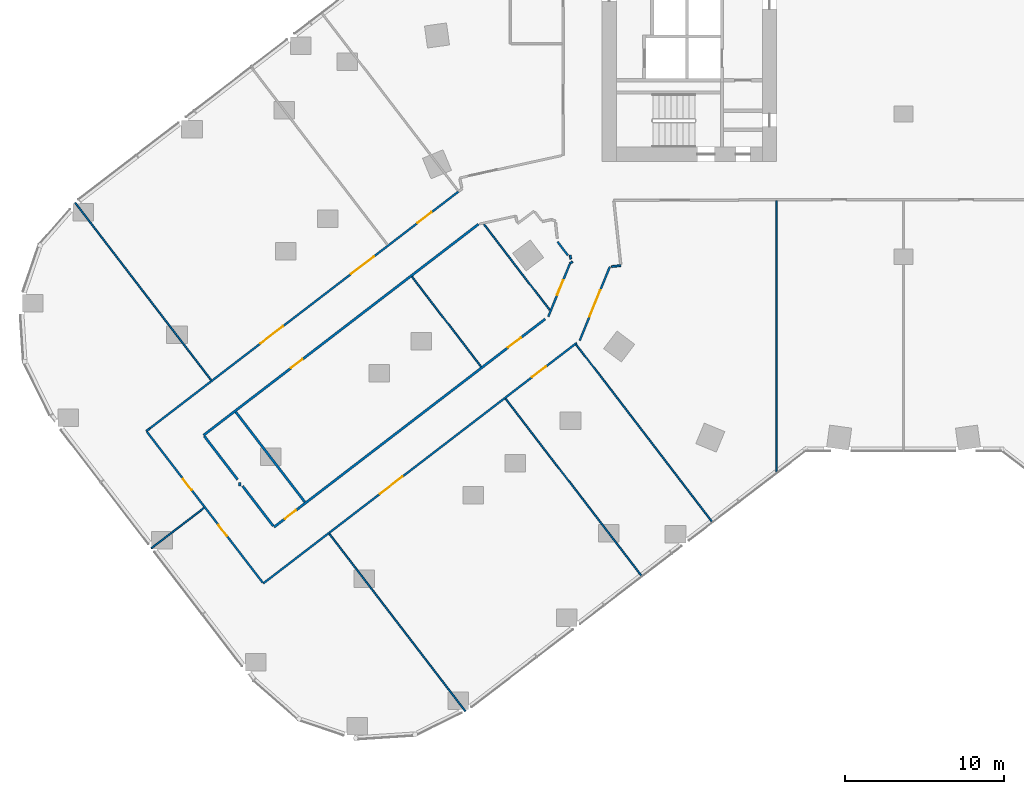
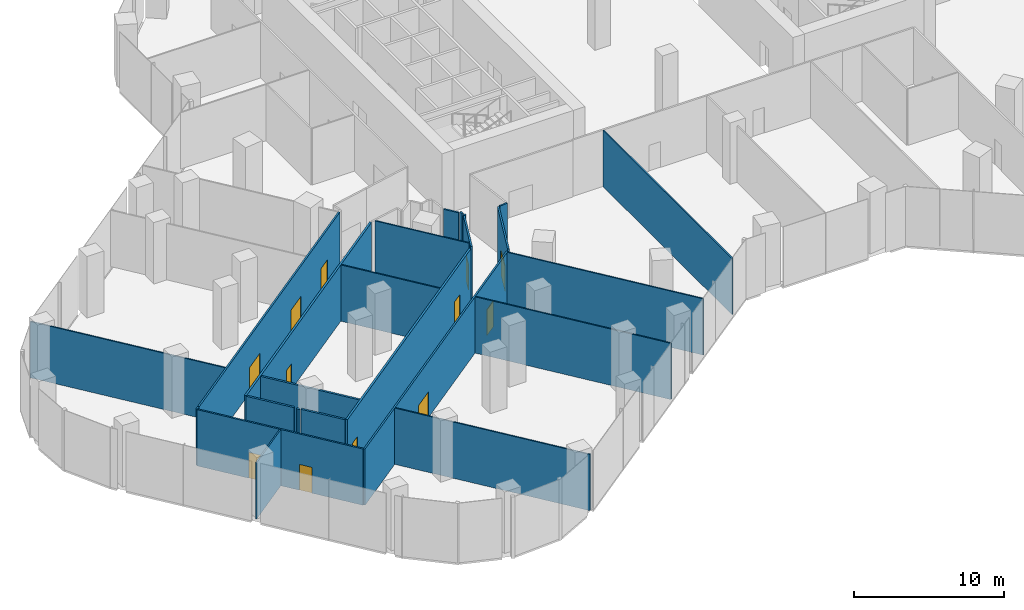
# One storey, part 21 of 29: 24 walls, 12 doors, 12 openings.
"""IFC4 building model written with IfcOpenShell, lengths in metres."""

from ifc_helpers import new_model, si_unit, direction, frame, frame_2d, origin, place, context, subcontext, project, spatial, rectangle, extrude, material, layer, layer_set, type_object, element, fill, save


model = new_model("IFC4")

# Units and contexts
model_context = context("Model", 3, precision=1e-05, world=origin(), true_north=direction((0.0, 1.0)))
body_context = subcontext(model_context, "Body", "Model", "MODEL_VIEW")
ifc_project = project(units=[si_unit("LENGTHUNIT", "METRE"), si_unit("AREAUNIT", "SQUARE_METRE"), si_unit("VOLUMEUNIT", "CUBIC_METRE"), si_unit("PLANEANGLEUNIT", "RADIAN"), si_unit("MASSUNIT", "GRAM", prefix="KILO")], contexts=[model_context])

# Site, building, storey
site_placement = place(None, origin())
site = spatial("IfcSite", under=ifc_project, at=site_placement, CompositionType="ELEMENT")
building_placement = place(site_placement, origin())
building = spatial("IfcBuilding", under=site, at=building_placement, Name="Orlundy Tower", CompositionType="ELEMENT")
storey_placement = place(building_placement, frame((0.0, 0.0, 15.5)))
storey = spatial("IfcBuildingStorey", under=building, at=storey_placement, Name="L02", CompositionType="ELEMENT", Elevation=15.5)

# Walls
ifc_material_1 = material(Name="Gypsum board partition")
ifc_layer_1 = layer(ifc_material_1, 0.10009765625)
ifc_layer_set_1 = layer_set([ifc_layer_1], Name="Floor partition 100")
wall_type_1 = type_object("IfcWallType", Name="Floor partition 100", PredefinedType="PARTITIONING", material=ifc_layer_set_1)
wall_1_placement = place(storey_placement, frame((-52.199951171875, -14.59912109375, 0.0), z_axis=(0.0, 0.0, 1.0), x_axis=(0.608818023879, -0.793309910312, 0.0)))
element("IfcWall", 1, at=wall_1_placement, inside=storey, type_object=wall_type_1, Name="wall-int-L02-011", PredefinedType="PARTITIONING", context=body_context, shape_type="SweptSolid", body=[
    extrude(rectangle(XDim=14.081298828125, YDim=0.10009765625, at=frame_2d((7.04052734375, 0.0))), origin(), (0.0, 0.0, 1.0), 4.580078125),
])
wall_2_placement = place(storey_placement, frame((-36.18505859375, -35.470947265625, 0.0), z_axis=(0.0, 0.0, 1.0), x_axis=(0.608776156658, -0.793342039152, 0.0)))
element("IfcWall", 2, at=wall_2_placement, inside=storey, type_object=wall_type_1, Name="wall-int-L02-013", PredefinedType="PARTITIONING", context=body_context, shape_type="SweptSolid", body=[
    extrude(rectangle(XDim=14.082275390625, YDim=0.10009765625, at=frame_2d((7.041015625, 0.0))), origin(), (0.0, 0.0, 1.0), 4.580078125),
])
wall_3_placement = place(storey_placement, frame((-30.97509765625, -19.260986328125, 0.0), z_axis=(0.0, 0.0, 1.0), x_axis=(0.608667353297, -0.793425518263, 0.0)))
element("IfcWall", 3, at=wall_3_placement, inside=storey, type_object=wall_type_1, Name="wall-int-L02-015", PredefinedType="PARTITIONING", context=body_context, shape_type="SweptSolid", body=[
    extrude(rectangle(XDim=7.150146484375, YDim=0.10009765625, at=frame_2d((3.5751953125, 0.0))), origin(), (0.0, 0.0, 1.0), 4.580078125),
])
wall_4_placement = place(storey_placement, frame((-25.076904296875, -26.947998046875, 0.0), z_axis=(0.0, 0.0, 1.0), x_axis=(0.60874219909, -0.793368095557, 0.0)))
element("IfcWall", 4, at=wall_4_placement, inside=storey, type_object=wall_type_1, Name="wall-int-L02-016", PredefinedType="PARTITIONING", context=body_context, shape_type="SweptSolid", body=[
    extrude(rectangle(XDim=14.13720703125, YDim=0.10009765625, at=frame_2d((7.068603515625, 0.0))), origin(), (0.0, 0.0, 1.0), 4.580078125),
])
wall_5_placement = place(storey_placement, frame((-26.43994140625, -15.9619140625, 0.0), z_axis=(0.0, 0.0, 1.0), x_axis=(0.608697215762, -0.79340260872, 0.0)))
element("IfcWall", 5, at=wall_5_placement, inside=storey, type_object=wall_type_1, Name="wall-int-L02-018", PredefinedType="PARTITIONING", context=body_context, shape_type="SweptSolid", body=[
    extrude(rectangle(XDim=6.7900390625, YDim=0.10009765625, at=frame_2d((3.39501953125, 0.0))), origin(), (0.0, 0.0, 1.0), 4.580078125),
])
wall_6_placement = place(storey_placement, frame((-20.6298828125, -23.534912109375, 0.0), z_axis=(0.0, 0.0, 1.0), x_axis=(0.608785675767, -0.79333473451, 0.0)))
element("IfcWall", 6, at=wall_6_placement, inside=storey, type_object=wall_type_1, Name="wall-int-L02-019", PredefinedType="PARTITIONING", context=body_context, shape_type="SweptSolid", body=[
    extrude(rectangle(XDim=14.137939453125, YDim=0.10009765625, at=frame_2d((7.06884765625, 0.0))), origin(), (0.0, 0.0, 1.0), 4.580078125),
])
wall_7_placement = place(storey_placement, frame((-47.403076171875, -36.3740234375, 0.0), z_axis=(0.0, 0.0, 1.0), x_axis=(0.793154740431, 0.609020162008, 0.0)))
element("IfcWall", 7, at=wall_7_placement, inside=storey, type_object=wall_type_1, Name="wall-int-L02-043", PredefinedType="PARTITIONING", context=body_context, shape_type="SweptSolid", body=[
    extrude(rectangle(XDim=4.18701171875, YDim=0.10009765625, at=frame_2d((2.093505859375, 0.0))), origin(), (0.0, 0.0, 1.0), 4.580078125),
])
wall_8_placement = place(storey_placement, frame((-8.0, -31.6630859375, 0.0), z_axis=(0.0, 0.0, 1.0), x_axis=(0.0, 1.0, 0.0)))
element("IfcWall", 8, at=wall_8_placement, inside=storey, type_object=wall_type_1, Name="wall-int-L02-058", PredefinedType="PARTITIONING", context=body_context, shape_type="SweptSolid", body=[
    extrude(rectangle(XDim=17.2001953125, YDim=0.10009765625, at=frame_2d((8.60009765625, 0.0))), origin(), (0.0, 0.0, 1.0), 4.580078125),
])
ifc_material_2 = material(Name="Gypsum board partition, double layer")
ifc_layer_2 = layer(ifc_material_2, 0.125)
ifc_layer_set_2 = layer_set([ifc_layer_2], Name="Floor partition 125")
wall_type_2 = type_object("IfcWallType", Name="Floor partition 125", PredefinedType="PARTITIONING", material=ifc_layer_set_2)
wall_9_placement = place(storey_placement, frame((-21.00390625, -17.904052734375, 0.0), z_axis=(0.0, 0.0, 1.0), x_axis=(0.105933230141, -0.994373245191, 0.0)))
element("IfcWall", 9, at=wall_9_placement, inside=storey, type_object=wall_type_2, Name="wall-int-L02-001", PredefinedType="PARTITIONING", context=body_context, shape_type="SweptSolid", body=[
    extrude(rectangle(XDim=0.244384765625, YDim=0.125, at=frame_2d((0.1220703125, 0.0))), origin(), (0.0, 0.0, 1.0), 4.580078125),
])
wall_10_placement = place(storey_placement, frame((-21.801025390625, -17.06103515625, 0.0), z_axis=(0.0, 0.0, 1.0), x_axis=(0.604123687543, -0.796890563471, 0.0)))
element("IfcWall", 10, at=wall_10_placement, inside=storey, type_object=wall_type_2, Name="wall-int-L02-007", PredefinedType="PARTITIONING", context=body_context, shape_type="SweptSolid", body=[
    extrude(rectangle(XDim=1.077880859375, YDim=0.125, at=frame_2d((0.5390625, 0.0))), origin(), (0.0, 0.0, 1.0), 4.580078125),
])

# Wall, openings, doors
wall_11_placement = place(storey_placement, frame((-40.384033203125, -38.534912109375, 0.0), z_axis=(0.0, 0.0, 1.0), x_axis=(-0.609026744184, 0.793149686294, 0.0)))
wall_11 = element("IfcWall", 11, at=wall_11_placement, inside=storey, type_object=wall_type_2, Name="wall-int-L02-008", PredefinedType="PARTITIONING", context=body_context, shape_type="SweptSolid", body=[
    extrude(rectangle(XDim=11.974853515625, YDim=0.125, at=frame_2d((5.9873046875, 0.0))), origin(), (0.0, 0.0, 1.0), 4.580078125),
])
opening_1_placement = place(wall_11_placement, frame((3.68798828125, 0.0, 0.0)))
opening_1 = element("IfcOpeningElement", 12, at=opening_1_placement, cuts=wall_11, Name="Opening 03105", PredefinedType="OPENING", context=body_context, shape_type="SweptSolid", body=[
    extrude(rectangle(XDim=0.89990234375, YDim=2.10009765625, at=frame_2d((0.449951171875, 1.050048828125))), frame((0.0, 0.072509765625, 0.0), z_axis=(0.0, -1.0, 0.0), x_axis=(1.0, 0.0, 0.0)), (0.0, 0.0, 1.0), 0.14501953125),
])
opening_2_placement = place(wall_11_placement, frame((7.33837890625, 0.0, 0.0)))
opening_2 = element("IfcOpeningElement", 13, at=opening_2_placement, cuts=wall_11, Name="Opening 03106", PredefinedType="OPENING", context=body_context, shape_type="SweptSolid", body=[
    extrude(rectangle(XDim=0.89990234375, YDim=2.10009765625, at=frame_2d((0.449951171875, 1.050048828125))), frame((0.0, 0.072509765625, 0.0), z_axis=(0.0, -1.0, 0.0), x_axis=(1.0, 0.0, 0.0)), (0.0, 0.0, 1.0), 0.14501953125),
])
ifc_material_3 = material(Name="Timber door leaf", Category="wood")
door_type_1 = type_object("IfcDoorType", Name="Floor door single 900 FD30S", OperationType="NOTDEFINED", PredefinedType="DOOR", material=ifc_material_3)
door_1_placement = place(opening_1_placement, origin())
door_1 = element("IfcDoor", 14, at=door_1_placement, inside=storey, type_object=door_type_1, Name="Door 03105", OperationType="SINGLE_SWING_LEFT", OverallHeight=2.10009765625, OverallWidth=0.89990234375, PredefinedType="DOOR", context=body_context, shape_type="SweptSolid", body=[
    extrude(rectangle(XDim=0.89990234375, YDim=2.10009765625, at=frame_2d((0.449951171875, 1.050048828125))), frame((0.0, 0.02490234375, 0.0), z_axis=(0.0, -1.0, 0.0), x_axis=(1.0, 0.0, 0.0)), (0.0, 0.0, 1.0), 0.050048828125),
])
fill(opening_1, door_1)
door_2_placement = place(opening_2_placement, origin())
door_2 = element("IfcDoor", 15, at=door_2_placement, inside=storey, type_object=door_type_1, Name="Door 03106", OperationType="SINGLE_SWING_RIGHT", OverallHeight=2.10009765625, OverallWidth=0.89990234375, PredefinedType="DOOR", context=body_context, shape_type="SweptSolid", body=[
    extrude(rectangle(XDim=0.89990234375, YDim=2.10009765625, at=frame_2d((0.449951171875, 1.050048828125))), frame((0.0, 0.02490234375, 0.0), z_axis=(0.0, -1.0, 0.0), x_axis=(1.0, 0.0, 0.0)), (0.0, 0.0, 1.0), 0.050048828125),
])
fill(opening_2, door_2)

# Walls
wall_12_placement = place(storey_placement, frame((-18.406005859375, -18.623046875, 0.0), z_axis=(0.0, 0.0, 1.0), x_axis=(0.994037722998, 0.109036715182, 0.0)))
element("IfcWall", 16, at=wall_12_placement, inside=storey, type_object=wall_type_2, Name="wall-int-L02-034", PredefinedType="PARTITIONING", context=body_context, shape_type="SweptSolid", body=[
    extrude(rectangle(XDim=0.595703125, YDim=0.125, at=frame_2d((0.2978515625, 0.0))), origin(), (0.0, 0.0, 1.0), 4.580078125),
])
wall_13_placement = place(storey_placement, frame((-21.01904296875, -18.427978515625, 0.0), z_axis=(0.0, 0.0, 1.0), x_axis=(0.797092148154, 0.603857687995, 0.0)))
element("IfcWall", 17, at=wall_13_placement, inside=storey, type_object=wall_type_2, Name="wall-int-L02-040", PredefinedType="PARTITIONING", context=body_context, shape_type="SweptSolid", body=[
    extrude(rectangle(XDim=0.2021484375, YDim=0.125, at=frame_2d((0.10107421875, 0.0))), origin(), (0.0, 0.0, 1.0), 4.580078125),
])

# Wall, openings, doors
wall_14_placement = place(storey_placement, frame((-20.593017578125, -23.428955078125, 0.0), z_axis=(0.0, 0.0, 1.0), x_axis=(-0.793381896857, -0.60872421156, 0.0)))
wall_14 = element("IfcWall", 18, at=wall_14_placement, inside=storey, type_object=wall_type_2, Name="wall-int-L02-041", PredefinedType="PARTITIONING", context=body_context, shape_type="SweptSolid", body=[
    extrude(rectangle(XDim=24.899658203125, YDim=0.125, at=frame_2d((12.44970703125, 0.0))), origin(), (0.0, 0.0, 1.0), 4.580078125),
])
opening_3_placement = place(wall_14_placement, frame((2.443603515625, 0.0, 0.0)))
opening_3 = element("IfcOpeningElement", 19, at=opening_3_placement, cuts=wall_14, Name="Opening 03100", PredefinedType="OPENING", context=body_context, shape_type="SweptSolid", body=[
    extrude(rectangle(XDim=1.10009765625, YDim=2.10009765625, at=frame_2d((0.550048828125, 1.050048828125))), frame((0.0, 0.072509765625, 0.0), z_axis=(0.0, -1.0, 0.0), x_axis=(1.0, 0.0, 0.0)), (0.0, 0.0, 1.0), 0.14501953125),
])
opening_4_placement = place(wall_14_placement, frame((13.835205078125, 0.0, 0.0)))
opening_4 = element("IfcOpeningElement", 20, at=opening_4_placement, cuts=wall_14, Name="Opening 03101", PredefinedType="OPENING", context=body_context, shape_type="SweptSolid", body=[
    extrude(rectangle(XDim=1.800048828125, YDim=2.10009765625, at=frame_2d((0.89990234375, 1.050048828125))), frame((0.0, 0.072509765625, 0.0), z_axis=(0.0, -1.0, 0.0), x_axis=(1.0, 0.0, 0.0)), (0.0, 0.0, 1.0), 0.14501953125),
])
ifc_material_4 = material(Name="Timber door leaf", Category="wood")
door_type_2 = type_object("IfcDoorType", Name="Floor door double 1800 FD30S", OperationType="NOTDEFINED", PredefinedType="DOOR", material=ifc_material_4)
door_3_placement = place(opening_4_placement, origin())
door_3 = element("IfcDoor", 21, at=door_3_placement, inside=storey, type_object=door_type_2, Name="Door 03101", OperationType="DOUBLE_DOOR_SINGLE_SWING", OverallHeight=2.10009765625, OverallWidth=1.800048828125, PredefinedType="DOOR", context=body_context, shape_type="SweptSolid", body=[
    extrude(rectangle(XDim=1.800048828125, YDim=2.10009765625, at=frame_2d((0.89990234375, 1.050048828125))), frame((0.0, 0.02490234375, 0.0), z_axis=(0.0, -1.0, 0.0), x_axis=(1.0, 0.0, 0.0)), (0.0, 0.0, 1.0), 0.050048828125),
])
fill(opening_4, door_3)
ifc_material_5 = material(Name="Timber door leaf", Category="wood")
door_type_3 = type_object("IfcDoorType", Name="Floor door xwide 1100 FD30S", OperationType="NOTDEFINED", PredefinedType="DOOR", material=ifc_material_5)
door_4_placement = place(opening_3_placement, origin())
door_4 = element("IfcDoor", 22, at=door_4_placement, inside=storey, type_object=door_type_3, Name="Door 03100", OperationType="SINGLE_SWING_LEFT", OverallHeight=2.10009765625, OverallWidth=1.10009765625, PredefinedType="DOOR", context=body_context, shape_type="SweptSolid", body=[
    extrude(rectangle(XDim=1.10009765625, YDim=2.10009765625, at=frame_2d((0.550048828125, 1.050048828125))), frame((0.0, 0.02490234375, 0.0), z_axis=(0.0, -1.0, 0.0), x_axis=(1.0, 0.0, 0.0)), (0.0, 0.0, 1.0), 0.050048828125),
])
fill(opening_3, door_4)

wall_15_placement = place(storey_placement, frame((-47.47607421875, -28.802978515625, 0.0), z_axis=(0.0, 0.0, 1.0), x_axis=(0.793397382488, 0.608704027801, 0.0)))
wall_15 = element("IfcWall", 23, at=wall_15_placement, inside=storey, type_object=wall_type_2, Name="wall-int-L02-045", PredefinedType="PARTITIONING", context=body_context, shape_type="SweptSolid", body=[
    extrude(rectangle(XDim=24.506103515625, YDim=0.125, at=frame_2d((12.2529296875, 0.0))), origin(), (0.0, 0.0, 1.0), 4.580078125),
])
opening_5_placement = place(wall_15_placement, frame((21.249267578125, 0.0, 0.0)))
opening_5 = element("IfcOpeningElement", 24, at=opening_5_placement, cuts=wall_15, Name="Opening 03107", PredefinedType="OPENING", context=body_context, shape_type="SweptSolid", body=[
    extrude(rectangle(XDim=1.10009765625, YDim=2.10009765625, at=frame_2d((0.550048828125, 1.050048828125))), frame((0.0, 0.072509765625, 0.0), z_axis=(0.0, -1.0, 0.0), x_axis=(1.0, 0.0, 0.0)), (0.0, 0.0, 1.0), 0.14501953125),
])
opening_6_placement = place(wall_15_placement, frame((8.749755859375, 0.0, 0.0)))
opening_6 = element("IfcOpeningElement", 25, at=opening_6_placement, cuts=wall_15, Name="Opening 03108", PredefinedType="OPENING", context=body_context, shape_type="SweptSolid", body=[
    extrude(rectangle(XDim=1.800048828125, YDim=2.10009765625, at=frame_2d((0.89990234375, 1.050048828125))), frame((0.0, 0.072509765625, 0.0), z_axis=(0.0, -1.0, 0.0), x_axis=(1.0, 0.0, 0.0)), (0.0, 0.0, 1.0), 0.14501953125),
])
opening_7_placement = place(wall_15_placement, frame((15.965087890625, 0.0, 0.0)))
opening_7 = element("IfcOpeningElement", 26, at=opening_7_placement, cuts=wall_15, Name="Opening 03109", PredefinedType="OPENING", context=body_context, shape_type="SweptSolid", body=[
    extrude(rectangle(XDim=1.800048828125, YDim=2.10009765625, at=frame_2d((0.89990234375, 1.050048828125))), frame((0.0, 0.072509765625, 0.0), z_axis=(0.0, -1.0, 0.0), x_axis=(1.0, 0.0, 0.0)), (0.0, 0.0, 1.0), 0.14501953125),
])
door_5_placement = place(opening_6_placement, origin())
door_5 = element("IfcDoor", 27, at=door_5_placement, inside=storey, type_object=door_type_2, Name="Door 03108", OperationType="DOUBLE_DOOR_SINGLE_SWING", OverallHeight=2.10009765625, OverallWidth=1.800048828125, PredefinedType="DOOR", context=body_context, shape_type="SweptSolid", body=[
    extrude(rectangle(XDim=1.800048828125, YDim=2.10009765625, at=frame_2d((0.89990234375, 1.050048828125))), frame((0.0, 0.02490234375, 0.0), z_axis=(0.0, -1.0, 0.0), x_axis=(1.0, 0.0, 0.0)), (0.0, 0.0, 1.0), 0.050048828125),
])
fill(opening_6, door_5)
door_6_placement = place(opening_7_placement, origin())
door_6 = element("IfcDoor", 28, at=door_6_placement, inside=storey, type_object=door_type_2, Name="Door 03109", OperationType="DOUBLE_DOOR_SINGLE_SWING", OverallHeight=2.10009765625, OverallWidth=1.800048828125, PredefinedType="DOOR", context=body_context, shape_type="SweptSolid", body=[
    extrude(rectangle(XDim=1.800048828125, YDim=2.10009765625, at=frame_2d((0.89990234375, 1.050048828125))), frame((0.0, 0.02490234375, 0.0), z_axis=(0.0, -1.0, 0.0), x_axis=(1.0, 0.0, 0.0)), (0.0, 0.0, 1.0), 0.050048828125),
])
fill(opening_7, door_6)
door_7_placement = place(opening_5_placement, origin())
door_7 = element("IfcDoor", 29, at=door_7_placement, inside=storey, type_object=door_type_3, Name="Door 03107", OperationType="SINGLE_SWING_RIGHT", OverallHeight=2.10009765625, OverallWidth=1.10009765625, PredefinedType="DOOR", context=body_context, shape_type="SweptSolid", body=[
    extrude(rectangle(XDim=1.10009765625, YDim=2.10009765625, at=frame_2d((0.550048828125, 1.050048828125))), frame((0.0, 0.02490234375, 0.0), z_axis=(0.0, -1.0, 0.0), x_axis=(1.0, 0.0, 0.0)), (0.0, 0.0, 1.0), 0.050048828125),
])
fill(opening_5, door_7)

# Wall
wall_16_placement = place(storey_placement, frame((-47.714111328125, -28.986083984375, 0.0), z_axis=(0.0, 0.0, 1.0), x_axis=(0.792623989105, 0.60971076085, 0.0)))
element("IfcWall", 30, at=wall_16_placement, inside=storey, type_object=wall_type_2, Name="wall-int-L02-047", PredefinedType="PARTITIONING", context=body_context, shape_type="SweptSolid", body=[
    extrude(rectangle(XDim=0.30029296875, YDim=0.125, at=frame_2d((0.150146484375, 0.0))), origin(), (0.0, 0.0, 1.0), 4.580078125),
])

# Wall, opening, door
wall_17_placement = place(storey_placement, frame((-18.510009765625, -18.634033203125, 0.0), z_axis=(0.0, 0.0, 1.0), x_axis=(-0.377847706778, -0.925867760797, 0.0)))
wall_17 = element("IfcWall", 31, at=wall_17_placement, inside=storey, type_object=wall_type_2, Name="wall-int-L02-048", PredefinedType="PARTITIONING", context=body_context, shape_type="SweptSolid", body=[
    extrude(rectangle(XDim=5.025634765625, YDim=0.125, at=frame_2d((2.5126953125, 0.0))), origin(), (0.0, 0.0, 1.0), 4.580078125),
])
opening_8_placement = place(wall_17_placement, frame((1.60009765625, 0.0, 0.0)))
opening_8 = element("IfcOpeningElement", 32, at=opening_8_placement, cuts=wall_17, Name="Opening 03113", PredefinedType="OPENING", context=body_context, shape_type="SweptSolid", body=[
    extrude(rectangle(XDim=1.800048828125, YDim=2.10009765625, at=frame_2d((0.89990234375, 1.050048828125))), frame((0.0, 0.072509765625, 0.0), z_axis=(0.0, -1.0, 0.0), x_axis=(1.0, 0.0, 0.0)), (0.0, 0.0, 1.0), 0.14501953125),
])
door_8_placement = place(opening_8_placement, origin())
door_8 = element("IfcDoor", 33, at=door_8_placement, inside=storey, type_object=door_type_2, Name="Door 03113", OperationType="DOUBLE_DOOR_SINGLE_SWING", OverallHeight=2.10009765625, OverallWidth=1.800048828125, PredefinedType="DOOR", context=body_context, shape_type="SweptSolid", body=[
    extrude(rectangle(XDim=1.800048828125, YDim=2.10009765625, at=frame_2d((0.89990234375, 1.050048828125))), frame((0.0, 0.02490234375, 0.0), z_axis=(0.0, -1.0, 0.0), x_axis=(1.0, 0.0, 0.0)), (0.0, 0.0, 1.0), 0.050048828125),
])
fill(opening_8, door_8)

wall_18_placement = place(storey_placement, frame((-22.386962890625, -21.778076171875, 0.0), z_axis=(0.0, 0.0, 1.0), x_axis=(0.377843834017, 0.925869341265, 0.0)))
wall_18 = element("IfcWall", 34, at=wall_18_placement, inside=storey, type_object=wall_type_2, Name="wall-int-L02-049", PredefinedType="PARTITIONING", context=body_context, shape_type="SweptSolid", body=[
    extrude(rectangle(XDim=3.615234375, YDim=0.125, at=frame_2d((1.8076171875, 0.0))), origin(), (0.0, 0.0, 1.0), 4.580078125),
])
opening_9_placement = place(wall_18_placement, frame((1.475830078125, 0.0, 0.0)))
opening_9 = element("IfcOpeningElement", 35, at=opening_9_placement, cuts=wall_18, Name="Opening 03112", PredefinedType="OPENING", context=body_context, shape_type="SweptSolid", body=[
    extrude(rectangle(XDim=1.0, YDim=2.10009765625, at=frame_2d((0.5, 1.050048828125))), frame((0.0, 0.072509765625, 0.0), z_axis=(0.0, -1.0, 0.0), x_axis=(1.0, 0.0, 0.0)), (0.0, 0.0, 1.0), 0.14501953125),
])
ifc_material_6 = material(Name="Timber door leaf", Category="wood")
door_type_4 = type_object("IfcDoorType", Name="Floor door wide 1000 FD30S", OperationType="NOTDEFINED", PredefinedType="DOOR", material=ifc_material_6)
door_9_placement = place(opening_9_placement, origin())
door_9 = element("IfcDoor", 36, at=door_9_placement, inside=storey, type_object=door_type_4, Name="Door 03112", OperationType="SINGLE_SWING_RIGHT", OverallHeight=2.10009765625, OverallWidth=1.0, PredefinedType="DOOR", context=body_context, shape_type="SweptSolid", body=[
    extrude(rectangle(XDim=1.0, YDim=2.10009765625, at=frame_2d((0.5, 1.050048828125))), frame((0.0, 0.02490234375, 0.0), z_axis=(0.0, -1.0, 0.0), x_axis=(1.0, 0.0, 0.0)), (0.0, 0.0, 1.0), 0.050048828125),
])
fill(opening_9, door_9)

# Walls
ifc_material_7 = material(Name="Blockwork shaft wall", Category="masonry")
ifc_layer_3 = layer(ifc_material_7, 0.14990234375)
ifc_layer_set_3 = layer_set([ifc_layer_3], Name="Floor shaft wall 150")
wall_type_3 = type_object("IfcWallType", Name="Floor shaft wall 150", PredefinedType="PARTITIONING", material=ifc_layer_set_3)
wall_19_placement = place(storey_placement, frame((-44.06396484375, -29.306884765625, 0.0), z_axis=(0.0, 0.0, 1.0), x_axis=(0.608421148176, -0.793614331053, 0.0)))
element("IfcWall", 37, at=wall_19_placement, inside=storey, type_object=wall_type_3, Name="wall-int-L02-009", PredefinedType="PARTITIONING", context=body_context, shape_type="SweptSolid", body=[
    extrude(rectangle(XDim=3.451416015625, YDim=0.14990234375, at=frame_2d((1.7255859375, 0.0))), origin(), (0.0, 0.0, 1.0), 4.580078125),
])
wall_20_placement = place(storey_placement, frame((-41.653076171875, -32.449951171875, 0.0), z_axis=(0.0, 0.0, 1.0), x_axis=(0.60867753108, -0.793417710389, 0.0)))
element("IfcWall", 38, at=wall_20_placement, inside=storey, type_object=wall_type_3, Name="wall-int-L02-010", PredefinedType="PARTITIONING", context=body_context, shape_type="SweptSolid", body=[
    extrude(rectangle(XDim=3.1875, YDim=0.14990234375, at=frame_2d((1.59375, 0.0))), origin(), (0.0, 0.0, 1.0), 4.580078125),
])
wall_21_placement = place(storey_placement, frame((-42.0810546875, -27.784912109375, 0.0), z_axis=(0.0, 0.0, 1.0), x_axis=(0.608713303315, -0.793390266116, 0.0)))
element("IfcWall", 39, at=wall_21_placement, inside=storey, type_object=wall_type_3, Name="wall-int-L02-012", PredefinedType="PARTITIONING", context=body_context, shape_type="SweptSolid", body=[
    extrude(rectangle(XDim=7.14794921875, YDim=0.14990234375, at=frame_2d((3.573974609375, 0.0))), origin(), (0.0, 0.0, 1.0), 4.580078125),
])

# Wall, openings, doors
wall_22_placement = place(storey_placement, frame((-39.6669921875, -35.0380859375, 0.0), z_axis=(0.0, 0.0, 1.0), x_axis=(0.793278123289, 0.608859441177, 0.0)))
wall_22 = element("IfcWall", 40, at=wall_22_placement, inside=storey, type_object=wall_type_3, Name="wall-int-L02-042", PredefinedType="PARTITIONING", context=body_context, shape_type="SweptSolid", body=[
    extrude(rectangle(XDim=21.5322265625, YDim=0.14990234375, at=frame_2d((10.76611328125, 0.0))), origin(), (0.0, 0.0, 1.0), 4.580078125),
])
opening_10_placement = place(wall_22_placement, frame((18.60009765625, 0.0, 0.0)))
opening_10 = element("IfcOpeningElement", 41, at=opening_10_placement, cuts=wall_22, Name="Opening 03102", PredefinedType="OPENING", context=body_context, shape_type="SweptSolid", body=[
    extrude(rectangle(XDim=1.0, YDim=2.10009765625, at=frame_2d((0.5, 1.050048828125))), frame((0.0, 0.0849609375, 0.0), z_axis=(0.0, -1.0, 0.0), x_axis=(1.0, 0.0, 0.0)), (0.0, 0.0, 1.0), 0.169921875),
])
opening_11_placement = place(wall_22_placement, frame((0.85009765625, 0.0, 0.0)))
opening_11 = element("IfcOpeningElement", 42, at=opening_11_placement, cuts=wall_22, Name="Opening 03104", PredefinedType="OPENING", context=body_context, shape_type="SweptSolid", body=[
    extrude(rectangle(XDim=0.89990234375, YDim=2.10009765625, at=frame_2d((0.449951171875, 1.050048828125))), frame((0.0, 0.0849609375, 0.0), z_axis=(0.0, -1.0, 0.0), x_axis=(1.0, 0.0, 0.0)), (0.0, 0.0, 1.0), 0.169921875),
])
ifc_material_8 = material(Name="Timber door leaf", Category="wood")
door_type_5 = type_object("IfcDoorType", Name="Floor door single 900 FD60", OperationType="NOTDEFINED", PredefinedType="DOOR", material=ifc_material_8)
door_10_placement = place(opening_11_placement, origin())
door_10 = element("IfcDoor", 43, at=door_10_placement, inside=storey, type_object=door_type_5, Name="Door 03104", OperationType="SINGLE_SWING_LEFT", OverallHeight=2.10009765625, OverallWidth=0.89990234375, PredefinedType="DOOR", context=body_context, shape_type="SweptSolid", body=[
    extrude(rectangle(XDim=0.89990234375, YDim=2.10009765625, at=frame_2d((0.449951171875, 1.050048828125))), frame((0.0, 0.02490234375, 0.0), z_axis=(0.0, -1.0, 0.0), x_axis=(1.0, 0.0, 0.0)), (0.0, 0.0, 1.0), 0.050048828125),
])
fill(opening_11, door_10)
ifc_material_9 = material(Name="Timber door leaf", Category="wood")
door_type_6 = type_object("IfcDoorType", Name="Floor door wide 1000 FD60", OperationType="NOTDEFINED", PredefinedType="DOOR", material=ifc_material_9)
door_11_placement = place(opening_10_placement, origin())
door_11 = element("IfcDoor", 44, at=door_11_placement, inside=storey, type_object=door_type_6, Name="Door 03102", OperationType="SINGLE_SWING_RIGHT", OverallHeight=2.10009765625, OverallWidth=1.0, PredefinedType="DOOR", context=body_context, shape_type="SweptSolid", body=[
    extrude(rectangle(XDim=1.0, YDim=2.10009765625, at=frame_2d((0.5, 1.050048828125))), frame((0.0, 0.02490234375, 0.0), z_axis=(0.0, -1.0, 0.0), x_axis=(1.0, 0.0, 0.0)), (0.0, 0.0, 1.0), 0.050048828125),
])
fill(opening_10, door_11)

# Wall, opening, door
wall_23_placement = place(storey_placement, frame((-26.787109375, -15.950927734375, 0.0), z_axis=(0.0, 0.0, 1.0), x_axis=(-0.793270647626, -0.608869181035, 0.0)))
wall_23 = element("IfcWall", 45, at=wall_23_placement, inside=storey, type_object=wall_type_3, Name="wall-int-L02-044", PredefinedType="PARTITIONING", context=body_context, shape_type="SweptSolid", body=[
    extrude(rectangle(XDim=21.83740234375, YDim=0.14990234375, at=frame_2d((10.918701171875, 0.0))), origin(), (0.0, 0.0, 1.0), 4.580078125),
])
opening_12_placement = place(wall_23_placement, frame((13.973388671875, 0.0, 0.0)))
opening_12 = element("IfcOpeningElement", 46, at=opening_12_placement, cuts=wall_23, Name="Opening 03103", PredefinedType="OPENING", context=body_context, shape_type="SweptSolid", body=[
    extrude(rectangle(XDim=0.89990234375, YDim=2.10009765625, at=frame_2d((0.449951171875, 1.050048828125))), frame((0.0, 0.0849609375, 0.0), z_axis=(0.0, -1.0, 0.0), x_axis=(1.0, 0.0, 0.0)), (0.0, 0.0, 1.0), 0.169921875),
])
door_12_placement = place(opening_12_placement, origin())
door_12 = element("IfcDoor", 47, at=door_12_placement, inside=storey, type_object=door_type_5, Name="Door 03103", OperationType="SINGLE_SWING_RIGHT", OverallHeight=2.10009765625, OverallWidth=0.89990234375, PredefinedType="DOOR", context=body_context, shape_type="SweptSolid", body=[
    extrude(rectangle(XDim=0.89990234375, YDim=2.10009765625, at=frame_2d((0.449951171875, 1.050048828125))), frame((0.0, 0.02490234375, 0.0), z_axis=(0.0, -1.0, 0.0), x_axis=(1.0, 0.0, 0.0)), (0.0, 0.0, 1.0), 0.050048828125),
])
fill(opening_12, door_12)

# Wall
wall_24_placement = place(storey_placement, frame((-41.827880859375, -32.448974609375, 0.0), z_axis=(0.0, 0.0, 1.0), x_axis=(0.0, 1.0, 0.0)))
element("IfcWall", 48, at=wall_24_placement, inside=storey, type_object=wall_type_3, Name="wall-int-L02-063", PredefinedType="PARTITIONING", context=body_context, shape_type="SweptSolid", body=[
    extrude(rectangle(XDim=0.22802734375, YDim=0.14990234375, at=frame_2d((0.114013671875, 0.0))), origin(), (0.0, 0.0, 1.0), 4.580078125),
])

save(model, "model.ifc")
